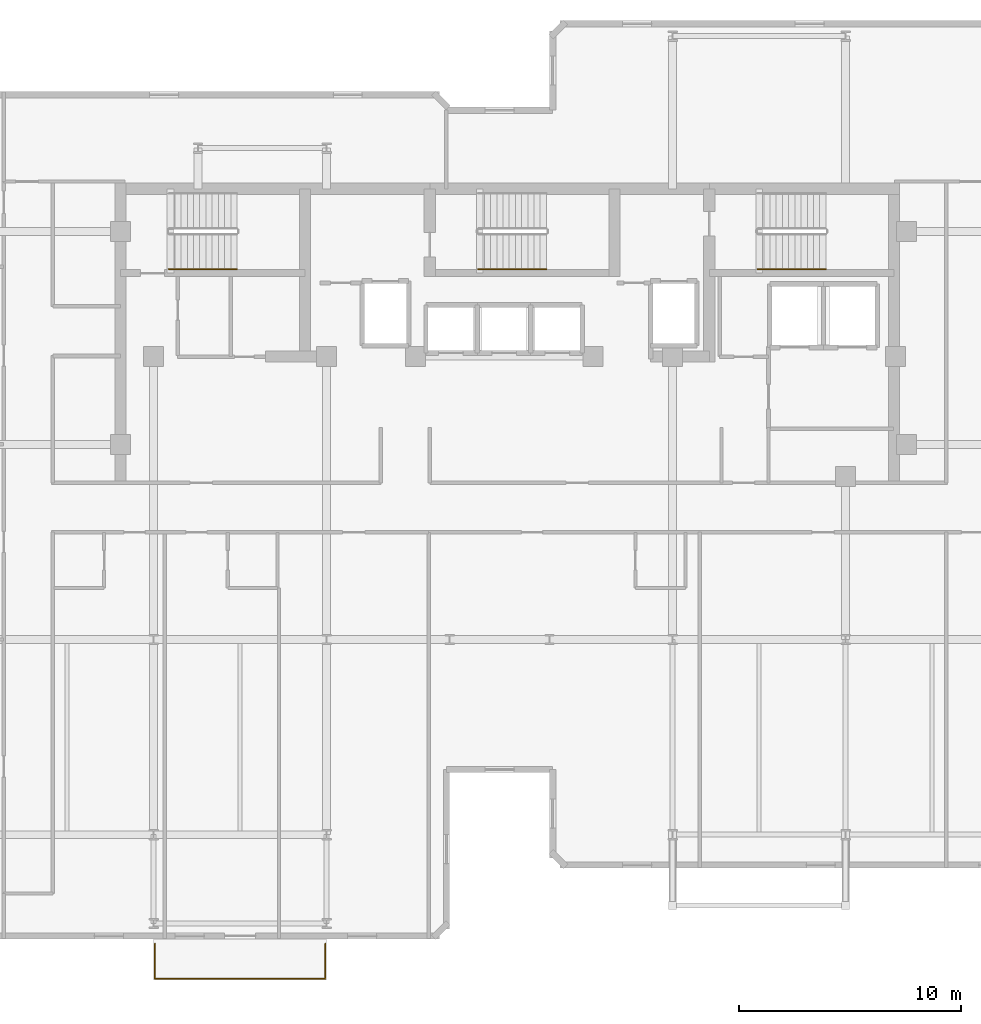
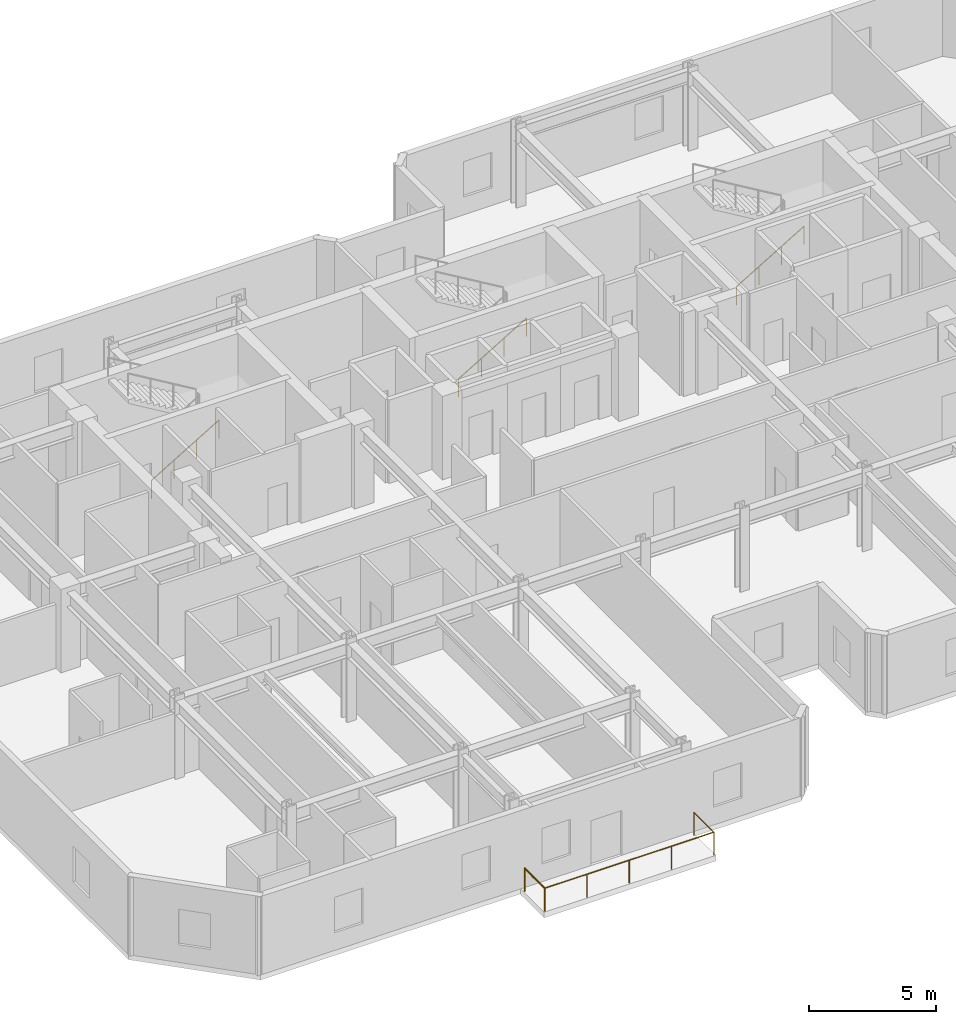
# One storey, part 9 of 10: 5 railings.
"""IFC4 building model written with IfcOpenShell, lengths in metres."""

from ifc_helpers import new_model, si_unit, direction, frame, origin, origin_2d, place, context, subcontext, project, spatial, circle, extrude, material, type_object, element, save


model = new_model("IFC4")

# Units and contexts
model_context = context("Model", 3, precision=1e-05, world=origin(), true_north=direction((0.0, 1.0)))
body_context = subcontext(model_context, "Body", "Model", "MODEL_VIEW")
ifc_project = project(units=[si_unit("LENGTHUNIT", "METRE"), si_unit("AREAUNIT", "SQUARE_METRE"), si_unit("VOLUMEUNIT", "CUBIC_METRE"), si_unit("PLANEANGLEUNIT", "RADIAN"), si_unit("MASSUNIT", "GRAM", prefix="KILO")], contexts=[model_context])

# Site, building, storey
site_placement = place(None, origin())
site = spatial("IfcSite", under=ifc_project, at=site_placement, CompositionType="ELEMENT")
building_placement = place(site_placement, origin())
building = spatial("IfcBuilding", under=site, at=building_placement, Name="Kestravale Grand Hotel", CompositionType="ELEMENT")
storey_placement = place(building_placement, frame((0.0, 0.0, 281.39990234375)))
storey = spatial("IfcBuildingStorey", under=building, at=storey_placement, Name="L70", CompositionType="ELEMENT", Elevation=281.39990234375)

# Railings
ifc_material_1 = material(Name="Champagne-bronze stainless steel and laminated glass guard", Category="steel")
railing_type_1 = type_object("IfcRailingType", Name="RL-EXT-1100", PredefinedType="GUARDRAIL", material=ifc_material_1)
railing_1_placement = place(storey_placement, frame((23.4599609375, 4.7099609375, 0.0)))
element("IfcRailing", 1, at=railing_1_placement, inside=storey, type_object=railing_type_1, Name="L70 outdoor terrace guard 1", PredefinedType="GUARDRAIL", context=body_context, shape_type="SweptSolid", body=[
    extrude(circle(Radius=0.02392578125, at=origin_2d()), frame((0.0, 0.0, 1.09619140625), z_axis=(0.0, 1.0, 0.0), x_axis=(-1.0, 0.0, 0.0)), (0.0, 0.0, 1.0), 1.570068359375),
    extrude(circle(Radius=0.02099609375, at=origin_2d()), origin(), (0.0, 0.0, 1.0), 1.072021484375),
    extrude(circle(Radius=0.02099609375, at=origin_2d()), frame((0.0, 1.570068359375, 0.0)), (0.0, 0.0, 1.0), 1.072021484375),
])
railing_2_placement = place(storey_placement, frame((31.139892578125, 6.280029296875, 0.0)))
element("IfcRailing", 2, at=railing_2_placement, inside=storey, type_object=railing_type_1, Name="L70 outdoor terrace guard 2", PredefinedType="GUARDRAIL", context=body_context, shape_type="SweptSolid", body=[
    extrude(circle(Radius=0.02392578125, at=origin_2d()), frame((0.0, 0.0, 1.09619140625), z_axis=(0.0, -1.0, 0.0), x_axis=(1.0, 0.0, 0.0)), (0.0, 0.0, 1.0), 1.570068359375),
    extrude(circle(Radius=0.02392578125, at=origin_2d()), frame((0.0, -1.570068359375, 1.09619140625), z_axis=(-1.0, 0.0, 0.0), x_axis=(0.0, -1.0, 0.0)), (0.0, 0.0, 1.0), 7.679931640625),
    extrude(circle(Radius=0.02099609375, at=origin_2d()), origin(), (0.0, 0.0, 1.0), 1.072021484375),
    extrude(circle(Radius=0.02099609375, at=origin_2d()), frame((0.0, -1.570068359375, 0.0)), (0.0, 0.0, 1.0), 1.072021484375),
    extrude(circle(Radius=0.02099609375, at=origin_2d()), frame((-1.919921875, -1.570068359375, 0.0)), (0.0, 0.0, 1.0), 1.072021484375),
    extrude(circle(Radius=0.02099609375, at=origin_2d()), frame((-3.83984375, -1.570068359375, 0.0)), (0.0, 0.0, 1.0), 1.072021484375),
    extrude(circle(Radius=0.02099609375, at=origin_2d()), frame((-5.760009765625, -1.570068359375, 0.0)), (0.0, 0.0, 1.0), 1.072021484375),
    extrude(circle(Radius=0.02099609375, at=origin_2d()), frame((-7.679931640625, -1.570068359375, 0.0)), (0.0, 0.0, 1.0), 1.072021484375),
])
ifc_material_2 = material(Name="Brushed stainless steel wall handrail", Category="steel")
railing_type_2 = type_object("IfcRailingType", Name="RL-ST-HND900", PredefinedType="HANDRAIL", material=ifc_material_2)
railing_3_placement = place(storey_placement, frame((24.080078125, 36.699951171875, 0.166748046875)))
element("IfcRailing", 3, at=railing_3_placement, inside=storey, type_object=railing_type_2, Name="L70 ST-1 stair handrail 1", PredefinedType="HANDRAIL", context=body_context, shape_type="SweptSolid", body=[
    extrude(circle(Radius=0.02392578125, at=origin_2d()), frame((0.0, 0.0, 0.8759765625), z_axis=(0.859290745958, 0.0, 0.51148745235), x_axis=(0.0, 1.0, 0.0)), (0.0, 0.0, 1.0), 3.584228515625),
    extrude(circle(Radius=0.02099609375, at=origin_2d()), origin(), (0.0, 0.0, 1.0), 0.851806640625),
    extrude(circle(Radius=0.02099609375, at=origin_2d()), frame((1.026611328125, 0.0, 0.611083984375)), (0.0, 0.0, 1.0), 0.851806640625),
    extrude(circle(Radius=0.02099609375, at=origin_2d()), frame((2.05322265625, 0.0, 1.22216796875)), (0.0, 0.0, 1.0), 0.851806640625),
    extrude(circle(Radius=0.02099609375, at=origin_2d()), frame((3.079833984375, 0.0, 1.833251953125)), (0.0, 0.0, 1.0), 0.851806640625),
])
for number, where, name in (
    (4, (38.030029296875, 36.699951171875, 0.166748046875), "L70 ST-2 stair handrail 1"),
    (5, (50.6298828125, 36.699951171875, 0.166748046875), "L70 ST-3 stair handrail 1"),
):
    element("IfcRailing", number, at=place(storey_placement, frame(where)), inside=storey, type_object=railing_type_2, Name=name, PredefinedType="HANDRAIL", context=body_context, shape_type="SweptSolid", body=[
        extrude(circle(Radius=0.02392578125, at=origin_2d()), frame((0.0, 0.0, 0.8759765625), z_axis=(0.859308565015, 0.0, 0.511457515432), x_axis=(0.0, 1.0, 0.0)), (0.0, 0.0, 1.0), 3.58447265625),
        extrude(circle(Radius=0.02099609375, at=origin_2d()), origin(), (0.0, 0.0, 1.0), 0.851806640625),
        extrude(circle(Radius=0.02099609375, at=origin_2d()), frame((1.026611328125, 0.0, 0.611083984375)), (0.0, 0.0, 1.0), 0.851806640625),
        extrude(circle(Radius=0.02099609375, at=origin_2d()), frame((2.053466796875, 0.0, 1.22216796875)), (0.0, 0.0, 1.0), 0.851806640625),
        extrude(circle(Radius=0.02099609375, at=origin_2d()), frame((3.080078125, 0.0, 1.833251953125)), (0.0, 0.0, 1.0), 0.851806640625),
    ])

save(model, "model.ifc")
